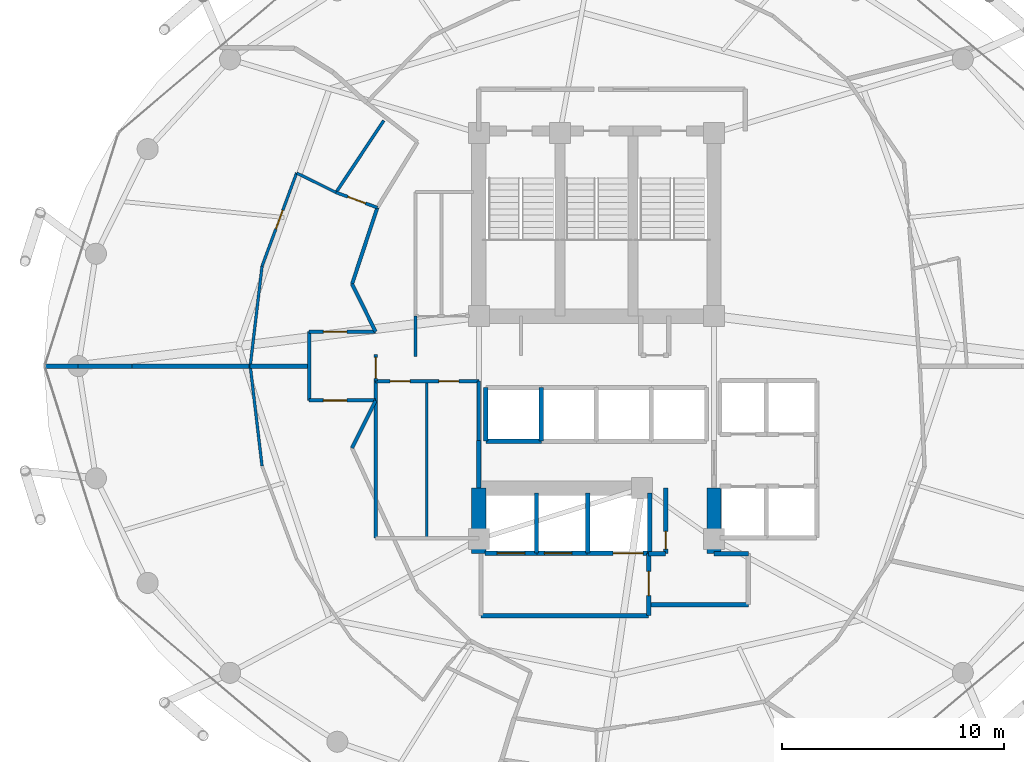
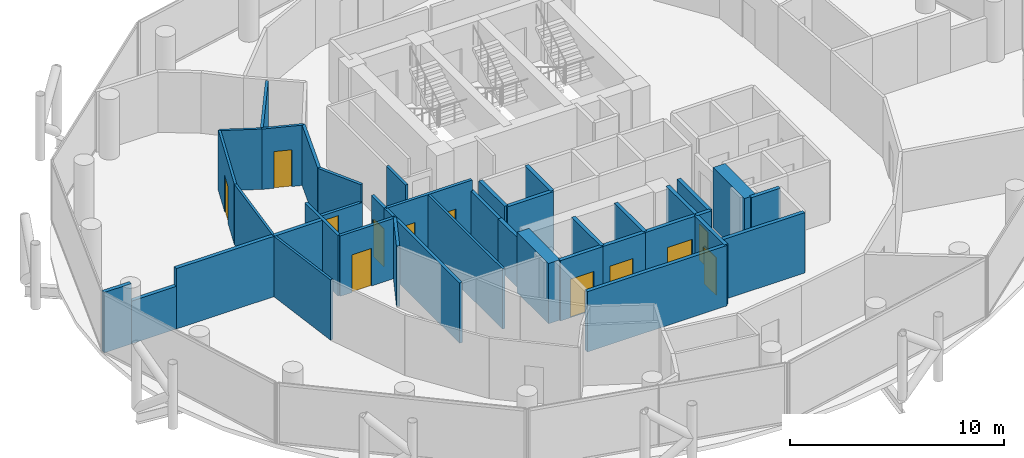
# One storey, part 22 of 26: 40 walls, 12 doors, 12 openings.
"""IFC4 building model written with IfcOpenShell, lengths in metres."""

from ifc_helpers import new_model, si_unit, direction, frame, frame_2d, origin, place, context, subcontext, project, spatial, rectangle, extrude, material, layer, layer_set, type_object, element, fill, save


model = new_model("IFC4")

# Units and contexts
model_context = context("Model", 3, precision=1e-05, world=origin(), true_north=direction((0.0, 1.0)))
body_context = subcontext(model_context, "Body", "Model", "MODEL_VIEW")
ifc_project = project(units=[si_unit("LENGTHUNIT", "METRE"), si_unit("AREAUNIT", "SQUARE_METRE"), si_unit("VOLUMEUNIT", "CUBIC_METRE"), si_unit("PLANEANGLEUNIT", "RADIAN"), si_unit("MASSUNIT", "GRAM", prefix="KILO")], contexts=[model_context])

# Site, building, storey
site_placement = place(None, origin())
site = spatial("IfcSite", under=ifc_project, at=site_placement, CompositionType="ELEMENT")
building_placement = place(site_placement, origin())
building = spatial("IfcBuilding", under=site, at=building_placement, Name="Nuhasar Tower", CompositionType="ELEMENT")
storey_placement = place(building_placement, frame((0.0, 0.0, 173.75)))
storey = spatial("IfcBuildingStorey", under=building, at=storey_placement, Name="L42", CompositionType="ELEMENT", Elevation=173.75)

# Walls
ifc_material_1 = material(Name="Concrete C65/80", Category="concrete")
ifc_layer_1 = layer(ifc_material_1, 0.64990234375)
ifc_layer_set_1 = layer_set([ifc_layer_1], Name="Concrete C65/80")
wall_type_1 = type_object("IfcWallType", Name="WL-CORE-650", PredefinedType="SHEAR", material=ifc_layer_set_1)
for number, where, z_axis, x_axis, name in (
    (1, (33.699951171875, 18.35009765625, 0.0), (0.0, 0.0, 1.0), (0.0, 1.0, 0.0), "L42 Core Shear Wall CW-SW CW-650"),
    (2, (44.300048828125, 18.35009765625, 0.0), (0.0, 0.0, 1.0), (0.0, 1.0, 0.0), "L42 Core Shear Wall CW-SE CW-650"),
):
    element("IfcWall", number, at=place(storey_placement, frame(where, z_axis=z_axis, x_axis=x_axis)), inside=storey, type_object=wall_type_1, Name=name, PredefinedType="SHEAR", context=body_context, shape_type="SweptSolid", body=[
        extrude(rectangle(XDim=2.949951171875, YDim=0.64990234375, at=frame_2d((1.47509765625, 0.0))), origin(), (0.0, 0.0, 1.0), 3.449951171875),
    ])
ifc_material_2 = material(Name="Gypsum Board", Category="gypsum")
ifc_layer_2 = layer(ifc_material_2, 0.159912109375)
ifc_layer_set_2 = layer_set([ifc_layer_2], Name="Gypsum Board")
wall_type_2 = type_object("IfcWallType", Name="WL-CORR-160", PredefinedType="PARTITIONING", material=ifc_layer_set_2)
wall_1_placement = place(storey_placement, frame((29.050048828125, 19.050048828125, 0.0), z_axis=(0.0, 0.0, 1.0), x_axis=(0.0, 1.0, 0.0)))
element("IfcWall", 3, at=wall_1_placement, inside=storey, type_object=wall_type_2, Name="L42 Interior Partition RECL-B1-W", PredefinedType="PARTITIONING", context=body_context, shape_type="SweptSolid", body=[
    extrude(rectangle(XDim=7.070068359375, YDim=0.159912109375, at=frame_2d((3.53515625, 0.0))), origin(), (0.0, 0.0, 1.0), 3.449951171875),
])
wall_2_placement = place(storey_placement, frame((33.699951171875, 23.449951171875, 0.0), z_axis=(0.0, 0.0, 1.0), x_axis=(0.0, 1.0, 0.0)))
element("IfcWall", 4, at=wall_2_placement, inside=storey, type_object=wall_type_2, Name="L42 Interior Partition RECL-B1-E", PredefinedType="PARTITIONING", context=body_context, shape_type="SweptSolid", body=[
    extrude(rectangle(XDim=2.670166015625, YDim=0.159912109375, at=frame_2d((1.3349609375, 0.0))), origin(), (0.0, 0.0, 1.0), 2.8349609375),
])

# Wall, openings, doors
wall_3_placement = place(storey_placement, frame((33.699951171875, 26.1201171875, 0.0), z_axis=(0.0, 0.0, 1.0), x_axis=(-1.0, 0.0, 0.0)))
wall_3 = element("IfcWall", 5, at=wall_3_placement, inside=storey, type_object=wall_type_2, Name="L42 Interior Partition RECL-B1-N", PredefinedType="PARTITIONING", context=body_context, shape_type="SweptSolid", body=[
    extrude(rectangle(XDim=4.64990234375, YDim=0.159912109375, at=frame_2d((2.324951171875, 0.0))), origin(), (0.0, 0.0, 1.0), 3.449951171875),
])
opening_1_placement = place(wall_3_placement, frame((3.10009765625, 0.0, 0.0)))
opening_1 = element("IfcOpeningElement", 6, at=opening_1_placement, cuts=wall_3, Name="Opening DR-01", PredefinedType="OPENING", context=body_context, shape_type="SweptSolid", body=[
    extrude(rectangle(XDim=0.89990234375, YDim=2.10009765625, at=frame_2d((0.449951171875, 1.050048828125))), frame((0.0, 0.08984375, 0.0), z_axis=(0.0, -1.0, 0.0), x_axis=(1.0, 0.0, 0.0)), (0.0, 0.0, 1.0), 0.179931640625),
])
opening_2_placement = place(wall_3_placement, frame((0.89990234375, 0.0, 0.0)))
opening_2 = element("IfcOpeningElement", 7, at=opening_2_placement, cuts=wall_3, Name="Opening DR-01", PredefinedType="OPENING", context=body_context, shape_type="SweptSolid", body=[
    extrude(rectangle(XDim=0.89990234375, YDim=2.10009765625, at=frame_2d((0.449951171875, 1.050048828125))), frame((0.0, 0.08984375, 0.0), z_axis=(0.0, -1.0, 0.0), x_axis=(1.0, 0.0, 0.0)), (0.0, 0.0, 1.0), 0.179931640625),
])
ifc_material_3 = material(Name="Timber Oak", Category="wood")
door_type_1 = type_object("IfcDoorType", Name="DR-ROOM-900", OperationType="NOTDEFINED", PredefinedType="DOOR", material=ifc_material_3)
door_1_placement = place(opening_1_placement, origin())
door_1 = element("IfcDoor", 8, at=door_1_placement, inside=storey, type_object=door_type_1, Name="L42 Housekeeping Door", OperationType="SINGLE_SWING_RIGHT", OverallHeight=2.10009765625, OverallWidth=0.89990234375, PredefinedType="DOOR", context=body_context, shape_type="SweptSolid", body=[
    extrude(rectangle(XDim=0.89990234375, YDim=2.10009765625, at=frame_2d((0.449951171875, 1.050048828125))), frame((0.0, 0.02490234375, 0.0), z_axis=(0.0, -1.0, 0.0), x_axis=(1.0, 0.0, 0.0)), (0.0, 0.0, 1.0), 0.050048828125),
])
fill(opening_1, door_1)
door_2_placement = place(opening_2_placement, origin())
door_2 = element("IfcDoor", 9, at=door_2_placement, inside=storey, type_object=door_type_1, Name="L42 Valet Pantry Door", OperationType="SINGLE_SWING_LEFT", OverallHeight=2.10009765625, OverallWidth=0.89990234375, PredefinedType="DOOR", context=body_context, shape_type="SweptSolid", body=[
    extrude(rectangle(XDim=0.89990234375, YDim=2.10009765625, at=frame_2d((0.449951171875, 1.050048828125))), frame((0.0, 0.02490234375, 0.0), z_axis=(0.0, -1.0, 0.0), x_axis=(1.0, 0.0, 0.0)), (0.0, 0.0, 1.0), 0.050048828125),
])
fill(opening_2, door_2)

# Wall, opening, door
wall_4_placement = place(storey_placement, frame((29.050048828125, 26.1201171875, 0.0), z_axis=(0.0, 0.0, 1.0), x_axis=(0.0, 1.0, 0.0)))
wall_4 = element("IfcWall", 10, at=wall_4_placement, inside=storey, type_object=wall_type_2, Name="L42 Interior Partition WVEST-E", PredefinedType="PARTITIONING", context=body_context, shape_type="SweptSolid", body=[
    extrude(rectangle(XDim=1.199951171875, YDim=0.159912109375, at=frame_2d((0.60009765625, 0.0))), origin(), (0.0, 0.0, 1.0), 3.449951171875),
])
opening_3_placement = place(wall_4_placement, frame((0.125, 0.0, 0.0)))
opening_3 = element("IfcOpeningElement", 11, at=opening_3_placement, cuts=wall_4, Name="Opening DO-01", PredefinedType="OPENING", context=body_context, shape_type="SweptSolid", body=[
    extrude(rectangle(XDim=0.949951171875, YDim=2.14990234375, at=frame_2d((0.47509765625, 1.074951171875))), frame((0.0, 0.08984375, 0.0), z_axis=(0.0, -1.0, 0.0), x_axis=(1.0, 0.0, 0.0)), (0.0, 0.0, 1.0), 0.179931640625),
])
door_type_2 = type_object("IfcDoorType", Name="DR-OFFICE-FD30-950", OperationType="NOTDEFINED", PredefinedType="DOOR", material=ifc_material_3)
door_3_placement = place(opening_3_placement, origin())
door_3 = element("IfcDoor", 12, at=door_3_placement, inside=storey, type_object=door_type_2, Name="L42 West Arrival Foyer Core Door", OperationType="SINGLE_SWING_LEFT", OverallHeight=2.14990234375, OverallWidth=0.949951171875, PredefinedType="DOOR", context=body_context, shape_type="SweptSolid", body=[
    extrude(rectangle(XDim=0.949951171875, YDim=2.14990234375, at=frame_2d((0.47509765625, 1.074951171875))), frame((0.0, 0.02490234375, 0.0), z_axis=(0.0, -1.0, 0.0), x_axis=(1.0, 0.0, 0.0)), (0.0, 0.0, 1.0), 0.050048828125),
])
fill(opening_3, door_3)

# Wall
wall_5_placement = place(storey_placement, frame((29.126953125, 33.93994140625, 0.0), z_axis=(0.0, 0.0, 1.0), x_axis=(-0.313985571683, -0.949427754374, 0.0)))
element("IfcWall", 13, at=wall_5_placement, inside=storey, type_object=wall_type_2, Name="L42 Interior Partition HWEST-CORE-N-20", PredefinedType="PARTITIONING", context=body_context, shape_type="SweptSolid", body=[
    extrude(rectangle(XDim=3.627197265625, YDim=0.159912109375, at=frame_2d((1.8134765625, 0.0))), origin(), (0.0, 0.0, 1.0), 3.449951171875),
])

# Wall, opening, door
wall_6_placement = place(storey_placement, frame((26.050048828125, 28.35009765625, 0.0), z_axis=(0.0, 0.0, 1.0), x_axis=(1.0, 0.0, 0.0)))
wall_6 = element("IfcWall", 14, at=wall_6_placement, inside=storey, type_object=wall_type_2, Name="L42 Interior Partition WVEST-N", PredefinedType="PARTITIONING", context=body_context, shape_type="SweptSolid", body=[
    extrude(rectangle(XDim=3.0, YDim=0.159912109375, at=frame_2d((1.5, 0.0))), origin(), (0.0, 0.0, 1.0), 2.43994140625),
])
opening_4_placement = place(wall_6_placement, frame((0.64990234375, 0.0, 0.0)))
opening_4 = element("IfcOpeningElement", 15, at=opening_4_placement, cuts=wall_6, Name="Opening DU-01", PredefinedType="OPENING", context=body_context, shape_type="SweptSolid", body=[
    extrude(rectangle(XDim=1.050048828125, YDim=2.14990234375, at=frame_2d((0.52490234375, 1.074951171875))), frame((0.0, 0.08984375, 0.0), z_axis=(0.0, -1.0, 0.0), x_axis=(1.0, 0.0, 0.0)), (0.0, 0.0, 1.0), 0.179931640625),
])
door_type_3 = type_object("IfcDoorType", Name="DR-SUITE-FD60-1050", OperationType="NOTDEFINED", PredefinedType="DOOR", material=ifc_material_3)
door_4_placement = place(opening_4_placement, origin())
door_4 = element("IfcDoor", 16, at=door_4_placement, inside=storey, type_object=door_type_3, Name="L42 North-West Sunset Suite Entrance", OperationType="SINGLE_SWING_LEFT", OverallHeight=2.14990234375, OverallWidth=1.050048828125, PredefinedType="DOOR", context=body_context, shape_type="SweptSolid", body=[
    extrude(rectangle(XDim=1.050048828125, YDim=2.14990234375, at=frame_2d((0.52490234375, 1.074951171875))), frame((0.0, 0.02490234375, 0.0), z_axis=(0.0, -1.0, 0.0), x_axis=(1.0, 0.0, 0.0)), (0.0, 0.0, 1.0), 0.050048828125),
])
fill(opening_4, door_4)

wall_7_placement = place(storey_placement, frame((26.050048828125, 25.25, 0.0), z_axis=(0.0, 0.0, 1.0), x_axis=(1.0, 0.0, 0.0)))
wall_7 = element("IfcWall", 17, at=wall_7_placement, inside=storey, type_object=wall_type_2, Name="L42 Interior Partition WVEST-S", PredefinedType="PARTITIONING", context=body_context, shape_type="SweptSolid", body=[
    extrude(rectangle(XDim=3.0, YDim=0.159912109375, at=frame_2d((1.5, 0.0))), origin(), (0.0, 0.0, 1.0), 3.449951171875),
])
opening_5_placement = place(wall_7_placement, frame((0.64990234375, 0.0, 0.0)))
opening_5 = element("IfcOpeningElement", 18, at=opening_5_placement, cuts=wall_7, Name="Opening DU-01", PredefinedType="OPENING", context=body_context, shape_type="SweptSolid", body=[
    extrude(rectangle(XDim=1.050048828125, YDim=2.14990234375, at=frame_2d((0.52490234375, 1.074951171875))), frame((0.0, 0.08984375, 0.0), z_axis=(0.0, -1.0, 0.0), x_axis=(1.0, 0.0, 0.0)), (0.0, 0.0, 1.0), 0.179931640625),
])
door_5_placement = place(opening_5_placement, origin())
door_5 = element("IfcDoor", 19, at=door_5_placement, inside=storey, type_object=door_type_3, Name="L42 South-West Presidential Suite Entrance", OperationType="SINGLE_SWING_LEFT", OverallHeight=2.14990234375, OverallWidth=1.050048828125, PredefinedType="DOOR", context=body_context, shape_type="SweptSolid", body=[
    extrude(rectangle(XDim=1.050048828125, YDim=2.14990234375, at=frame_2d((0.52490234375, 1.074951171875))), frame((0.0, 0.02490234375, 0.0), z_axis=(0.0, -1.0, 0.0), x_axis=(1.0, 0.0, 0.0)), (0.0, 0.0, 1.0), 0.050048828125),
])
fill(opening_5, door_5)

# Walls
wall_8_placement = place(storey_placement, frame((26.050048828125, 25.25, 0.0), z_axis=(0.0, 0.0, 1.0), x_axis=(0.0, 1.0, 0.0)))
element("IfcWall", 20, at=wall_8_placement, inside=storey, type_object=wall_type_2, Name="L42 Interior Partition WVEST-W", PredefinedType="PARTITIONING", context=body_context, shape_type="SweptSolid", body=[
    extrude(rectangle(XDim=3.10009765625, YDim=0.159912109375, at=frame_2d((1.550048828125, 0.0))), origin(), (0.0, 0.0, 1.0), 3.449951171875),
])
for number, where, z_axis, x_axis, name in (
    (21, (27.988037109375, 30.49609375, 0.0), (0.0, 0.0, 1.0), (0.443539160525, -0.896254993337, 0.0), "L42 Interior Partition WVEST-CN"),
    (22, (27.988037109375, 23.10400390625, 0.0), (0.0, 0.0, 1.0), (0.443539160525, 0.896254993337, 0.0), "L42 Interior Partition WVEST-CS"),
):
    element("IfcWall", number, at=place(storey_placement, frame(where, z_axis=z_axis, x_axis=x_axis)), inside=storey, type_object=wall_type_2, Name=name, PredefinedType="PARTITIONING", context=body_context, shape_type="SweptSolid", body=[
        extrude(rectangle(XDim=2.394287109375, YDim=0.159912109375, at=frame_2d((1.197265625, 0.0))), origin(), (0.0, 0.0, 1.0), 3.449951171875),
    ])
ifc_material_4 = material(Name="Concrete C45/55", Category="concrete")
ifc_layer_3 = layer(ifc_material_4, 0.199951171875)
ifc_layer_set_3 = layer_set([ifc_layer_3], Name="Concrete C45/55")
wall_type_3 = type_object("IfcWallType", Name="WL-LOBBY-200", PredefinedType="SOLIDWALL", material=ifc_layer_set_3)
wall_9_placement = place(storey_placement, frame((33.699951171875, 21.300048828125, 0.0), z_axis=(0.0, 0.0, 1.0), x_axis=(0.0, 1.0, 0.0)))
element("IfcWall", 23, at=wall_9_placement, inside=storey, type_object=wall_type_3, Name="L42 Interior Partition LLBH-W", PredefinedType="SOLIDWALL", context=body_context, shape_type="SweptSolid", body=[
    extrude(rectangle(XDim=2.14990234375, YDim=0.199951171875, at=frame_2d((1.074951171875, 0.0))), origin(), (0.0, 0.0, 1.0), 2.8349609375),
])
wall_10_placement = place(storey_placement, frame((33.800048828125, 15.550048828125, 0.0), z_axis=(0.0, 0.0, 1.0), x_axis=(1.0, 0.0, 0.0)))
element("IfcWall", 24, at=wall_10_placement, inside=storey, type_object=wall_type_3, Name="L42 Interior Partition FFL-S", PredefinedType="SOLIDWALL", context=body_context, shape_type="SweptSolid", body=[
    extrude(rectangle(XDim=7.550048828125, YDim=0.199951171875, at=frame_2d((3.77490234375, 0.0))), origin(), (0.0, 0.0, 1.0), 3.449951171875),
])

# Wall, opening, door
wall_11_placement = place(storey_placement, frame((41.35009765625, 15.550048828125, 0.0), z_axis=(0.0, 0.0, 1.0), x_axis=(0.0, 1.0, 0.0)))
wall_11 = element("IfcWall", 25, at=wall_11_placement, inside=storey, type_object=wall_type_3, Name="L42 Interior Partition FFL-E", PredefinedType="SOLIDWALL", context=body_context, shape_type="SweptSolid", body=[
    extrude(rectangle(XDim=2.800048828125, YDim=0.199951171875, at=frame_2d((1.39990234375, 0.0))), origin(), (0.0, 0.0, 1.0), 3.449951171875),
])
opening_6_placement = place(wall_11_placement, frame((0.89990234375, 0.0, 0.0)))
opening_6 = element("IfcOpeningElement", 26, at=opening_6_placement, cuts=wall_11, Name="Opening DS-02", PredefinedType="OPENING", context=body_context, shape_type="SweptSolid", body=[
    extrude(rectangle(XDim=1.10009765625, YDim=2.14990234375, at=frame_2d((0.550048828125, 1.074951171875))), frame((0.0, 0.10986328125, 0.0), z_axis=(0.0, -1.0, 0.0), x_axis=(1.0, 0.0, 0.0)), (0.0, 0.0, 1.0), 0.219970703125),
])
ifc_material_5 = material(Name="Steel S355", Category="steel")
door_type_4 = type_object("IfcDoorType", Name="DR-FFL-FD120-1100", OperationType="NOTDEFINED", PredefinedType="DOOR", material=ifc_material_5)
door_6_placement = place(opening_6_placement, origin())
door_6 = element("IfcDoor", 27, at=door_6_placement, inside=storey, type_object=door_type_4, Name="L42 Firefighting Lobby Door", OperationType="SINGLE_SWING_RIGHT", OverallHeight=2.14990234375, OverallWidth=1.10009765625, PredefinedType="DOOR", context=body_context, shape_type="SweptSolid", body=[
    extrude(rectangle(XDim=1.10009765625, YDim=2.14990234375, at=frame_2d((0.550048828125, 1.074951171875))), frame((0.0, 0.02490234375, 0.0), z_axis=(0.0, -1.0, 0.0), x_axis=(1.0, 0.0, 0.0)), (0.0, 0.0, 1.0), 0.050048828125),
])
fill(opening_6, door_6)

# Walls
wall_12_placement = place(storey_placement, frame((41.35009765625, 16.050048828125, 0.0), z_axis=(0.0, 0.0, 1.0), x_axis=(1.0, 0.0, 0.0)))
element("IfcWall", 28, at=wall_12_placement, inside=storey, type_object=wall_type_3, Name="L42 Interior Partition SVLV-S", PredefinedType="SOLIDWALL", context=body_context, shape_type="SweptSolid", body=[
    extrude(rectangle(XDim=4.5, YDim=0.199951171875, at=frame_2d((2.25, 0.0))), origin(), (0.0, 0.0, 1.0), 3.449951171875),
])
wall_13_placement = place(storey_placement, frame((44.300048828125, 18.35009765625, 0.0), z_axis=(0.0, 0.0, 1.0), x_axis=(1.0, 0.0, 0.0)))
element("IfcWall", 29, at=wall_13_placement, inside=storey, type_object=wall_type_3, Name="L42 Interior Partition SVLV-N", PredefinedType="SOLIDWALL", context=body_context, shape_type="SweptSolid", body=[
    extrude(rectangle(XDim=1.550048828125, YDim=0.199951171875, at=frame_2d((0.77490234375, 0.0))), origin(), (0.0, 0.0, 1.0), 3.449951171875),
])
ifc_layer_4 = layer(ifc_material_2, 0.125)
ifc_layer_set_4 = layer_set([ifc_layer_4], Name="Gypsum Board")
wall_type_4 = type_object("IfcWallType", Name="WL-PART-125", PredefinedType="PARTITIONING", material=ifc_layer_set_4)
wall_14_placement = place(storey_placement, frame((31.35009765625, 19.050048828125, 0.0), z_axis=(0.0, 0.0, 1.0), x_axis=(0.0, 1.0, 0.0)))
element("IfcWall", 30, at=wall_14_placement, inside=storey, type_object=wall_type_4, Name="L42 Interior Partition RECL-B1-V", PredefinedType="PARTITIONING", context=body_context, shape_type="SweptSolid", body=[
    extrude(rectangle(XDim=7.070068359375, YDim=0.125, at=frame_2d((3.53515625, 0.0))), origin(), (0.0, 0.0, 1.0), 3.449951171875),
])
wall_15_placement = place(storey_placement, frame((27.264892578125, 34.625, 0.0), z_axis=(0.0, 0.0, 1.0), x_axis=(-0.896929858707, 0.442172849189, 0.0)))
element("IfcWall", 31, at=wall_15_placement, inside=storey, type_object=wall_type_4, Name="L42 Interior Partition HWS1-S", PredefinedType="PARTITIONING", context=body_context, shape_type="SweptSolid", body=[
    extrude(rectangle(XDim=1.978759765625, YDim=0.125, at=frame_2d((0.9892578125, 0.0))), origin(), (0.0, 0.0, 1.0), 3.449951171875),
])

# Wall, opening, door
wall_16_placement = place(storey_placement, frame((25.489990234375, 35.5, 0.0), z_axis=(0.0, 0.0, 1.0), x_axis=(-0.348031805078, -0.93748272659, 0.0)))
wall_16 = element("IfcWall", 32, at=wall_16_placement, inside=storey, type_object=wall_type_4, Name="L42 Interior Partition HWS1-ARC-20", PredefinedType="PARTITIONING", context=body_context, shape_type="SweptSolid", body=[
    extrude(rectangle(XDim=4.476806640625, YDim=0.125, at=frame_2d((2.23828125, 0.0))), origin(), (0.0, 0.0, 1.0), 3.449951171875),
])
opening_7_placement = place(wall_16_placement, frame((1.7880859375, 0.0, 0.0)))
opening_7 = element("IfcOpeningElement", 33, at=opening_7_placement, cuts=wall_16, Name="Opening DR-01", PredefinedType="OPENING", context=body_context, shape_type="SweptSolid", body=[
    extrude(rectangle(XDim=0.89990234375, YDim=2.10009765625, at=frame_2d((0.449951171875, 1.050048828125))), frame((0.0, 0.072509765625, 0.0), z_axis=(0.0, -1.0, 0.0), x_axis=(1.0, 0.0, 0.0)), (0.0, 0.0, 1.0), 0.14501953125),
])
door_7_placement = place(opening_7_placement, origin())
door_7 = element("IfcDoor", 34, at=door_7_placement, inside=storey, type_object=door_type_1, Name="L42 North-West Sunset Suite Bedroom Door", OperationType="SINGLE_SWING_LEFT", OverallHeight=2.10009765625, OverallWidth=0.89990234375, PredefinedType="DOOR", context=body_context, shape_type="SweptSolid", body=[
    extrude(rectangle(XDim=0.89990234375, YDim=2.10009765625, at=frame_2d((0.449951171875, 1.050048828125))), frame((0.0, 0.02490234375, 0.0), z_axis=(0.0, -1.0, 0.0), x_axis=(1.0, 0.0, 0.0)), (0.0, 0.0, 1.0), 0.050048828125),
])
fill(opening_7, door_7)

# Walls
for number, where, z_axis, x_axis, name in (
    (35, (23.931884765625, 31.302978515625, 0.0), (0.0, 0.0, 1.0), (-0.1173254596, -0.993093518522, 0.0), "L42 Interior Partition HWS1-ARC-22"),
    (36, (23.39990234375, 26.800048828125, 0.0), (0.0, 0.0, 1.0), (0.1173254596, -0.993093518522, 0.0), "L42 Interior Partition HWS2-ARC-24"),
):
    element("IfcWall", number, at=place(storey_placement, frame(where, z_axis=z_axis, x_axis=x_axis)), inside=storey, type_object=wall_type_4, Name=name, PredefinedType="PARTITIONING", context=body_context, shape_type="SweptSolid", body=[
        extrude(rectangle(XDim=4.5341796875, YDim=0.125, at=frame_2d((2.26708984375, 0.0))), origin(), (0.0, 0.0, 1.0), 3.449951171875),
    ])
ifc_layer_5 = layer(ifc_material_4, 0.199951171875)
ifc_layer_set_5 = layer_set([ifc_layer_5], Name="Concrete C45/55")
wall_type_5 = type_object("IfcWallType", Name="WL-SHAFT-200", PredefinedType="SOLIDWALL", material=ifc_layer_set_5)
wall_17_placement = place(storey_placement, frame((34.02001953125, 23.419921875, 0.0), z_axis=(0.0, 0.0, 1.0), x_axis=(1.0, 0.0, 0.0)))
element("IfcWall", 37, at=wall_17_placement, inside=storey, type_object=wall_type_5, Name="L42 Interior Partition SHF-PL-H01-S", PredefinedType="SOLIDWALL", context=body_context, shape_type="SweptSolid", body=[
    extrude(rectangle(XDim=2.5, YDim=0.199951171875, at=frame_2d((1.25, 0.0))), origin(), (0.0, 0.0, 1.0), 3.449951171875),
])
for number, where, z_axis, x_axis, name in (
    (38, (34.02001953125, 23.419921875, 0.0), (0.0, 0.0, 1.0), (0.0, 1.0, 0.0), "L42 Interior Partition SHF-PL-H01-W"),
    (39, (36.510009765625, 23.419921875, 0.0), (0.0, 0.0, 1.0), (0.0, 1.0, 0.0), "L42 Interior Partition SHF-PL-H01-E"),
):
    element("IfcWall", number, at=place(storey_placement, frame(where, z_axis=z_axis, x_axis=x_axis)), inside=storey, type_object=wall_type_5, Name=name, PredefinedType="SOLIDWALL", context=body_context, shape_type="SweptSolid", body=[
        extrude(rectangle(XDim=2.41015625, YDim=0.199951171875, at=frame_2d((1.205078125, 0.0))), origin(), (0.0, 0.0, 1.0), 3.449951171875),
    ])

# Wall, opening, door
wall_18_placement = place(storey_placement, frame((33.969970703125, 18.3701171875, 0.0), z_axis=(0.0, 0.0, 1.0), x_axis=(1.0, 0.0, 0.0)))
wall_18 = element("IfcWall", 40, at=wall_18_placement, inside=storey, type_object=wall_type_5, Name="L42 Interior Partition SHF-FFL-01-S", PredefinedType="SOLIDWALL", context=body_context, shape_type="SweptSolid", body=[
    extrude(rectangle(XDim=2.360107421875, YDim=0.199951171875, at=frame_2d((1.18017578125, 0.0))), origin(), (0.0, 0.0, 1.0), 3.449951171875),
])
opening_8_placement = place(wall_18_placement, frame((0.554931640625, 0.0, 0.0)))
opening_8 = element("IfcOpeningElement", 41, at=opening_8_placement, cuts=wall_18, Name="Opening LD-F01", PredefinedType="OPENING", context=body_context, shape_type="SweptSolid", body=[
    extrude(rectangle(XDim=1.25, YDim=2.199951171875, at=frame_2d((0.625, 1.10009765625))), frame((0.0, 0.10986328125, 0.0), z_axis=(0.0, -1.0, 0.0), x_axis=(1.0, 0.0, 0.0)), (0.0, 0.0, 1.0), 0.219970703125),
])
ifc_material_6 = material(Name="Stainless Steel 316L", Category="steel")
door_type_5 = type_object("IfcDoorType", Name="LD-FFL-1250", OperationType="DOUBLE_DOOR_SLIDING", PredefinedType="DOOR", material=ifc_material_6)
door_8_placement = place(opening_8_placement, origin())
door_8 = element("IfcDoor", 42, at=door_8_placement, inside=storey, type_object=door_type_5, Name="L42 Lift Landing Door FFL-01", OperationType="DOUBLE_DOOR_SLIDING", OverallHeight=2.199951171875, OverallWidth=1.25, PredefinedType="DOOR", context=body_context, shape_type="SweptSolid", body=[
    extrude(rectangle(XDim=1.25, YDim=2.199951171875, at=frame_2d((0.625, 1.10009765625))), frame((0.0, 0.02490234375, 0.0), z_axis=(0.0, -1.0, 0.0), x_axis=(1.0, 0.0, 0.0)), (0.0, 0.0, 1.0), 0.050048828125),
])
fill(opening_8, door_8)

# Wall
wall_19_placement = place(storey_placement, frame((36.300048828125, 18.3701171875, 0.0), z_axis=(0.0, 0.0, 1.0), x_axis=(0.0, 1.0, 0.0)))
element("IfcWall", 43, at=wall_19_placement, inside=storey, type_object=wall_type_5, Name="L42 Interior Partition SHF-FFL-01-E", PredefinedType="SOLIDWALL", context=body_context, shape_type="SweptSolid", body=[
    extrude(rectangle(XDim=2.7099609375, YDim=0.199951171875, at=frame_2d((1.35498046875, 0.0))), origin(), (0.0, 0.0, 1.0), 3.449951171875),
])

# Wall, opening, door
wall_20_placement = place(storey_placement, frame((36.27001953125, 18.3701171875, 0.0), z_axis=(0.0, 0.0, 1.0), x_axis=(1.0, 0.0, 0.0)))
wall_20 = element("IfcWall", 44, at=wall_20_placement, inside=storey, type_object=wall_type_5, Name="L42 Interior Partition SHF-FFL-02-S", PredefinedType="SOLIDWALL", context=body_context, shape_type="SweptSolid", body=[
    extrude(rectangle(XDim=2.35986328125, YDim=0.199951171875, at=frame_2d((1.179931640625, 0.0))), origin(), (0.0, 0.0, 1.0), 3.449951171875),
])
opening_9_placement = place(wall_20_placement, frame((0.3798828125, 0.0, 0.0)))
opening_9 = element("IfcOpeningElement", 45, at=opening_9_placement, cuts=wall_20, Name="Opening LD-F02", PredefinedType="OPENING", context=body_context, shape_type="SweptSolid", body=[
    extrude(rectangle(XDim=1.25, YDim=2.199951171875, at=frame_2d((0.625, 1.10009765625))), frame((0.0, 0.10986328125, 0.0), z_axis=(0.0, -1.0, 0.0), x_axis=(1.0, 0.0, 0.0)), (0.0, 0.0, 1.0), 0.219970703125),
])
door_9_placement = place(opening_9_placement, origin())
door_9 = element("IfcDoor", 46, at=door_9_placement, inside=storey, type_object=door_type_5, Name="L42 Lift Landing Door FFL-02", OperationType="DOUBLE_DOOR_SLIDING", OverallHeight=2.199951171875, OverallWidth=1.25, PredefinedType="DOOR", context=body_context, shape_type="SweptSolid", body=[
    extrude(rectangle(XDim=1.25, YDim=2.199951171875, at=frame_2d((0.625, 1.10009765625))), frame((0.0, 0.02490234375, 0.0), z_axis=(0.0, -1.0, 0.0), x_axis=(1.0, 0.0, 0.0)), (0.0, 0.0, 1.0), 0.050048828125),
])
fill(opening_9, door_9)

# Wall
wall_21_placement = place(storey_placement, frame((38.60009765625, 18.3701171875, 0.0), z_axis=(0.0, 0.0, 1.0), x_axis=(0.0, 1.0, 0.0)))
element("IfcWall", 47, at=wall_21_placement, inside=storey, type_object=wall_type_5, Name="L42 Interior Partition SHF-FFL-02-E", PredefinedType="SOLIDWALL", context=body_context, shape_type="SweptSolid", body=[
    extrude(rectangle(XDim=2.7099609375, YDim=0.199951171875, at=frame_2d((1.35498046875, 0.0))), origin(), (0.0, 0.0, 1.0), 3.449951171875),
])

# Wall, opening, door
wall_22_placement = place(storey_placement, frame((38.570068359375, 18.3701171875, 0.0), z_axis=(0.0, 0.0, 1.0), x_axis=(1.0, 0.0, 0.0)))
wall_22 = element("IfcWall", 48, at=wall_22_placement, inside=storey, type_object=wall_type_5, Name="L42 Interior Partition SHF-SVL-01-S", PredefinedType="SOLIDWALL", context=body_context, shape_type="SweptSolid", body=[
    extrude(rectangle(XDim=2.829833984375, YDim=0.199951171875, at=frame_2d((1.4150390625, 0.0))), origin(), (0.0, 0.0, 1.0), 3.449951171875),
])
opening_10_placement = place(wall_22_placement, frame((1.179931640625, 0.0, 0.0)))
opening_10 = element("IfcOpeningElement", 49, at=opening_10_placement, cuts=wall_22, Name="Opening LD-S01", PredefinedType="OPENING", context=body_context, shape_type="SweptSolid", body=[
    extrude(rectangle(XDim=1.35009765625, YDim=2.179931640625, at=frame_2d((0.675048828125, 1.08984375))), frame((0.0, 0.10986328125, 0.0), z_axis=(0.0, -1.0, 0.0), x_axis=(1.0, 0.0, 0.0)), (0.0, 0.0, 1.0), 0.219970703125),
])
door_type_6 = type_object("IfcDoorType", Name="LD-SVL-1350", OperationType="DOUBLE_DOOR_SLIDING", PredefinedType="DOOR", material=ifc_material_6)
door_10_placement = place(opening_10_placement, origin())
door_10 = element("IfcDoor", 50, at=door_10_placement, inside=storey, type_object=door_type_6, Name="L42 Lift Landing Door SVL-01", OperationType="DOUBLE_DOOR_SLIDING", OverallHeight=2.179931640625, OverallWidth=1.35009765625, PredefinedType="DOOR", context=body_context, shape_type="SweptSolid", body=[
    extrude(rectangle(XDim=1.35009765625, YDim=2.179931640625, at=frame_2d((0.675048828125, 1.08984375))), frame((0.0, 0.02490234375, 0.0), z_axis=(0.0, -1.0, 0.0), x_axis=(1.0, 0.0, 0.0)), (0.0, 0.0, 1.0), 0.050048828125),
])
fill(opening_10, door_10)

# Wall
wall_23_placement = place(storey_placement, frame((41.39990234375, 18.3701171875, 0.0), z_axis=(0.0, 0.0, 1.0), x_axis=(0.0, 1.0, 0.0)))
element("IfcWall", 51, at=wall_23_placement, inside=storey, type_object=wall_type_5, Name="L42 Interior Partition SHF-SVL-01-E", PredefinedType="SOLIDWALL", context=body_context, shape_type="SweptSolid", body=[
    extrude(rectangle(XDim=2.7099609375, YDim=0.199951171875, at=frame_2d((1.35498046875, 0.0))), origin(), (0.0, 0.0, 1.0), 3.449951171875),
])

# Wall, opening, door
wall_24_placement = place(storey_placement, frame((42.1201171875, 18.35009765625, 0.0), z_axis=(0.0, 0.0, 1.0), x_axis=(0.0, 1.0, 0.0)))
wall_24 = element("IfcWall", 52, at=wall_24_placement, inside=storey, type_object=wall_type_5, Name="L42 Interior Partition RSR-E", PredefinedType="SOLIDWALL", context=body_context, shape_type="SweptSolid", body=[
    extrude(rectangle(XDim=2.949951171875, YDim=0.199951171875, at=frame_2d((1.47509765625, 0.0))), origin(), (0.0, 0.0, 1.0), 3.449951171875),
])
opening_11_placement = place(wall_24_placement, frame((0.199951171875, 0.0, 0.0)))
opening_11 = element("IfcOpeningElement", 53, at=opening_11_placement, cuts=wall_24, Name="Opening DM-01", PredefinedType="OPENING", context=body_context, shape_type="SweptSolid", body=[
    extrude(rectangle(XDim=0.800048828125, YDim=2.050048828125, at=frame_2d((0.39990234375, 1.02490234375))), frame((0.0, 0.10986328125, 0.0), z_axis=(0.0, -1.0, 0.0), x_axis=(1.0, 0.0, 0.0)), (0.0, 0.0, 1.0), 0.219970703125),
])
door_type_7 = type_object("IfcDoorType", Name="DR-RISER-FD60-800", OperationType="NOTDEFINED", PredefinedType="DOOR", material=ifc_material_5)
door_11_placement = place(opening_11_placement, origin())
door_11 = element("IfcDoor", 54, at=door_11_placement, inside=storey, type_object=door_type_7, Name="L42 MEP Riser Access Door", OperationType="SINGLE_SWING_LEFT", OverallHeight=2.050048828125, OverallWidth=0.800048828125, PredefinedType="DOOR", context=body_context, shape_type="SweptSolid", body=[
    extrude(rectangle(XDim=0.800048828125, YDim=2.050048828125, at=frame_2d((0.39990234375, 1.02490234375))), frame((0.0, 0.02490234375, 0.0), z_axis=(0.0, -1.0, 0.0), x_axis=(1.0, 0.0, 0.0)), (0.0, 0.0, 1.0), 0.050048828125),
])
fill(opening_11, door_11)

# Walls
wall_25_placement = place(storey_placement, frame((41.35009765625, 18.35009765625, 0.0), z_axis=(0.0, 0.0, 1.0), x_axis=(1.0, 0.0, 0.0)))
element("IfcWall", 55, at=wall_25_placement, inside=storey, type_object=wall_type_5, Name="L42 Interior Partition RSR-S", PredefinedType="SOLIDWALL", context=body_context, shape_type="SweptSolid", body=[
    extrude(rectangle(XDim=0.77001953125, YDim=0.199951171875, at=frame_2d((0.385009765625, 0.0))), origin(), (0.0, 0.0, 1.0), 3.449951171875),
])
ifc_material_7 = material(Name="Concrete C40/50 precast", Category="concrete")
ifc_layer_6 = layer(ifc_material_7, 0.199951171875)
ifc_layer_set_6 = layer_set([ifc_layer_6], Name="Concrete C40/50 precast")
wall_type_6 = type_object("IfcWallType", Name="WL-UNIT-200", PredefinedType="PARTITIONING", material=ifc_layer_set_6)
wall_26_placement = place(storey_placement, frame((26.050048828125, 26.800048828125, 0.0), z_axis=(0.0, 0.0, 1.0), x_axis=(-1.0, 0.0, 0.0)))
element("IfcWall", 56, at=wall_26_placement, inside=storey, type_object=wall_type_6, Name="L42 Interior Partition HWEST-DIV-IN", PredefinedType="PARTITIONING", context=body_context, shape_type="SweptSolid", body=[
    extrude(rectangle(XDim=2.650146484375, YDim=0.199951171875, at=frame_2d((1.3251953125, 0.0))), origin(), (0.0, 0.0, 1.0), 3.449951171875),
])
wall_27_placement = place(storey_placement, frame((23.39990234375, 26.800048828125, 0.0), z_axis=(0.0, 0.0, 1.0), x_axis=(-1.0, 0.0, 0.0)))
element("IfcWall", 57, at=wall_27_placement, inside=storey, type_object=wall_type_6, Name="L42 Interior Partition HWEST-DIV-OUT", PredefinedType="PARTITIONING", context=body_context, shape_type="SweptSolid", body=[
    extrude(rectangle(XDim=5.326904296875, YDim=0.199951171875, at=frame_2d((2.66357421875, 0.0))), origin(), (0.0, 0.0, 1.0), 3.449951171875),
])
wall_28_placement = place(storey_placement, frame((18.072998046875, 26.800048828125, 0.0), z_axis=(0.0, 0.0, 1.0), x_axis=(-1.0, 0.0, 0.0)))
element("IfcWall", 58, at=wall_28_placement, inside=storey, type_object=wall_type_6, Name="L42 Interior Partition HWEST-DIV-OUT", PredefinedType="PARTITIONING", context=body_context, shape_type="SweptSolid", body=[
    extrude(rectangle(XDim=2.43505859375, YDim=0.199951171875, at=frame_2d((1.217529296875, 0.0))), origin(), (0.0, 0.0, 1.0), 2.43994140625),
])
wall_29_placement = place(storey_placement, frame((15.637939453125, 26.800048828125, 0.0), z_axis=(0.0, 0.0, 1.0), x_axis=(-1.0, 0.0, 0.0)))
element("IfcWall", 59, at=wall_29_placement, inside=storey, type_object=wall_type_6, Name="L42 Interior Partition HWEST-DIV-OUT", PredefinedType="PARTITIONING", context=body_context, shape_type="SweptSolid", body=[
    extrude(rectangle(XDim=1.462890625, YDim=0.199951171875, at=frame_2d((0.7314453125, 0.0))), origin(), (0.0, 0.0, 1.0), 3.449951171875),
])
ifc_layer_7 = layer(ifc_material_7, 0.139892578125)
ifc_layer_set_7 = layer_set([ifc_layer_7], Name="Concrete C40/50 precast")
wall_type_7 = type_object("IfcWallType", Name="WL-WET-140", PredefinedType="PARTITIONING", material=ifc_layer_set_7)
wall_30_placement = place(storey_placement, frame((30.85009765625, 27.239990234375, 0.0), z_axis=(0.0, 0.0, 1.0), x_axis=(0.0, 1.0, 0.0)))
element("IfcWall", 60, at=wall_30_placement, inside=storey, type_object=wall_type_7, Name="L42 Interior Partition K2-FOY-W", PredefinedType="PARTITIONING", context=body_context, shape_type="SweptSolid", body=[
    extrude(rectangle(XDim=1.81005859375, YDim=0.139892578125, at=frame_2d((0.905029296875, 0.0))), origin(), (0.0, 0.0, 1.0), 3.449951171875),
])

# Wall, opening, door
wall_31_placement = place(storey_placement, frame((27.264892578125, 34.625, 0.0), z_axis=(0.0, 0.0, 1.0), x_axis=(0.938500583084, -0.345277649945, 0.0)))
wall_31 = element("IfcWall", 61, at=wall_31_placement, inside=storey, type_object=wall_type_7, Name="L42 Interior Partition HBW1-S", PredefinedType="PARTITIONING", context=body_context, shape_type="SweptSolid", body=[
    extrude(rectangle(XDim=1.984130859375, YDim=0.139892578125, at=frame_2d((0.9921875, 0.0))), origin(), (0.0, 0.0, 1.0), 3.449951171875),
])
opening_12_placement = place(wall_31_placement, frame((0.56689453125, 0.0, 0.0)))
opening_12 = element("IfcOpeningElement", 62, at=opening_12_placement, cuts=wall_31, Name="Opening DB-01", PredefinedType="OPENING", context=body_context, shape_type="SweptSolid", body=[
    extrude(rectangle(XDim=0.85009765625, YDim=2.10009765625, at=frame_2d((0.425048828125, 1.050048828125))), frame((0.0, 0.080078125, 0.0), z_axis=(0.0, -1.0, 0.0), x_axis=(1.0, 0.0, 0.0)), (0.0, 0.0, 1.0), 0.159912109375),
])
door_type_8 = type_object("IfcDoorType", Name="DR-BATH-850", OperationType="NOTDEFINED", PredefinedType="DOOR", material=ifc_material_3)
door_12_placement = place(opening_12_placement, origin())
door_12 = element("IfcDoor", 63, at=door_12_placement, inside=storey, type_object=door_type_8, Name="L42 North-West Sunset Suite En-Suite Door", OperationType="SINGLE_SWING_RIGHT", OverallHeight=2.10009765625, OverallWidth=0.85009765625, PredefinedType="DOOR", context=body_context, shape_type="SweptSolid", body=[
    extrude(rectangle(XDim=0.85009765625, YDim=2.10009765625, at=frame_2d((0.425048828125, 1.050048828125))), frame((0.0, 0.02490234375, 0.0), z_axis=(0.0, -1.0, 0.0), x_axis=(1.0, 0.0, 0.0)), (0.0, 0.0, 1.0), 0.050048828125),
])
fill(opening_12, door_12)

# Wall
wall_32_placement = place(storey_placement, frame((29.4189453125, 37.865966796875, 0.0), z_axis=(0.0, 0.0, 1.0), x_axis=(-0.553526949376, -0.832831265212, 0.0)))
element("IfcWall", 64, at=wall_32_placement, inside=storey, type_object=wall_type_7, Name="L42 Interior Partition HBW1-E", PredefinedType="PARTITIONING", context=body_context, shape_type="SweptSolid", body=[
    extrude(rectangle(XDim=3.8916015625, YDim=0.139892578125, at=frame_2d((1.94580078125, 0.0))), origin(), (0.0, 0.0, 1.0), 3.449951171875),
])

save(model, "model.ifc")
